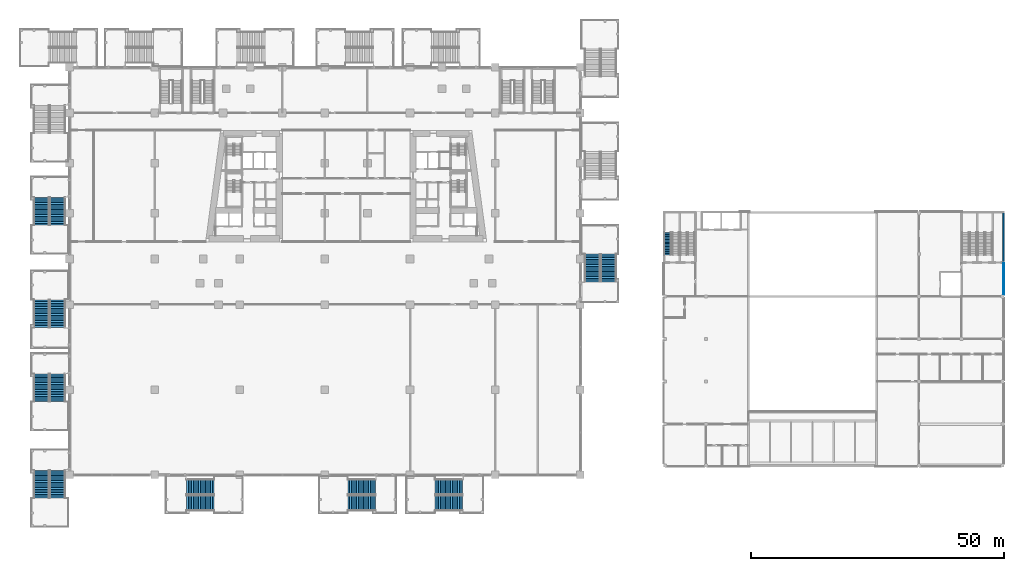
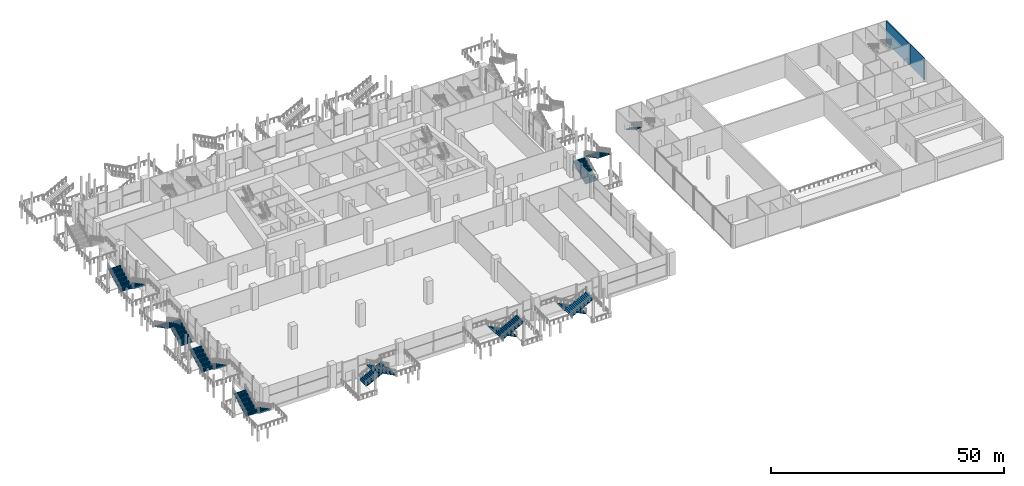
# One storey, part 31 of 49: 17 stair flights, 2 walls, 9 elements without a shape of their own.
"""IFC4 building model written with IfcOpenShell, lengths in metres."""

from ifc_helpers import new_model, si_unit, direction, frame, frame_2d, origin, place, context, subcontext, project, spatial, polyline, rectangle, outline, extrude, material, layer, layer_set, type_object, element, aggregate, save


model = new_model("IFC4")

# Units and contexts
model_context = context("Model", 3, precision=1e-05, world=origin(), true_north=direction((0.0, 1.0)))
body_context = subcontext(model_context, "Body", "Model", "MODEL_VIEW")
ifc_project = project(units=[si_unit("LENGTHUNIT", "METRE"), si_unit("AREAUNIT", "SQUARE_METRE"), si_unit("VOLUMEUNIT", "CUBIC_METRE"), si_unit("PLANEANGLEUNIT", "RADIAN"), si_unit("MASSUNIT", "GRAM", prefix="KILO")], contexts=[model_context])

# Site, building, storey
site_placement = place(None, origin())
site = spatial("IfcSite", under=ifc_project, at=site_placement, CompositionType="ELEMENT")
building_placement = place(site_placement, origin())
building = spatial("IfcBuilding", under=site, at=building_placement, Name="Candeia Pilgrim Tower and Theatre", CompositionType="ELEMENT")
storey_placement = place(building_placement, frame((0.0, 0.0, 17.0)))
storey = spatial("IfcBuildingStorey", under=building, at=storey_placement, Name="L02", CompositionType="ELEMENT", Elevation=17.0)

# Walls
ifc_material_1 = material(Name="Gypsum board on steel studs", Category="steel")
ifc_layer_1 = layer(ifc_material_1, 0.125)
ifc_layer_set_1 = layer_set([ifc_layer_1], Name="Partition 125")
wall_type_1 = type_object("IfcWallType", Name="Partition 125", PredefinedType="PARTITIONING", material=ifc_layer_set_1)
wall_1_placement = place(storey_placement, frame((243.137451171875, 99.89990234375, 0.0), z_axis=(0.0, 0.0, 1.0), x_axis=(0.0, 1.0, 0.0)))
element("IfcWall", 1, at=wall_1_placement, inside=storey, type_object=wall_type_1, Name="T-L02-W071", PredefinedType="PARTITIONING", context=body_context, shape_type="SweptSolid", body=[
    extrude(rectangle(XDim=6.275146484375, YDim=0.125, at=frame_2d((3.1376953125, 0.0))), origin(), (0.0, 0.0, 1.0), 5.699951171875),
])
ifc_material_2 = material(Name="Concrete C35/45", Category="concrete")
ifc_layer_2 = layer(ifc_material_2, 0.25)
ifc_layer_set_2 = layer_set([ifc_layer_2], Name="RC wall 250 C35/45")
wall_type_2 = type_object("IfcWallType", Name="RC wall 250 C35/45", PredefinedType="SOLIDWALL", material=ifc_layer_set_2)
wall_2_placement = place(storey_placement, frame((243.074951171875, 106.425048828125, 0.0), z_axis=(0.0, 0.0, 1.0), x_axis=(0.0, 1.0, 0.0)))
element("IfcWall", 2, at=wall_2_placement, inside=storey, type_object=wall_type_2, Name="T-L02-W066", PredefinedType="SOLIDWALL", context=body_context, shape_type="SweptSolid", body=[
    extrude(rectangle(XDim=9.724853515625, YDim=0.25, at=frame_2d((4.8623046875, 0.0))), origin(), (0.0, 0.0, 1.0), 5.699951171875),
])

# Stair, stair flights
ifc_material_3 = material(Name="Concrete C40/50", Category="concrete")
stair_type_1 = type_object("IfcStairType", Name="ST-EXT external escape stair", PredefinedType="HALF_TURN_STAIR", material=ifc_material_3)
stair_1_placement = place(storey_placement, origin())
stair_1 = element("IfcStair", 3, at=stair_1_placement, inside=storey, type_object=stair_type_1, Name="L02 External escape stair ES1", PredefinedType="HALF_TURN_STAIR")
stair_flight_type_1 = type_object("IfcStairFlightType", Name="SFL-EXT stair flight", PredefinedType="STRAIGHT", material=ifc_material_3)
stair_flight_1_placement = place(storey_placement, frame((162.0, 102.5, 0.0), z_axis=(0.0, 0.0, 1.0), x_axis=(0.0, 1.0, 0.0)))
stair_flight_1 = element("IfcStairFlight", 4, at=stair_flight_1_placement, type_object=stair_flight_type_1, Name="ES1 flight 1", NumberOfRisers=17, NumberOfTreads=16, PredefinedType="STRAIGHT", RiserHeight=0.176470588, TreadLength=0.34, context=body_context, shape_type="SweptSolid", body=[
    extrude(outline(polyline([(0.0, 0.0), (0.0, 0.176513671875), (0.340087890625, 0.176513671875), (0.340087890625, 0.35302734375), (0.679931640625, 0.35302734375), (0.679931640625, 0.529296875), (1.02001953125, 0.529296875), (1.02001953125, 0.705810546875), (1.360107421875, 0.705810546875), (1.360107421875, 0.88232421875), (1.699951171875, 0.88232421875), (1.699951171875, 1.058837890625), (2.0400390625, 1.058837890625), (2.0400390625, 1.2353515625), (2.3798828125, 1.2353515625), (2.3798828125, 1.411865234375), (2.719970703125, 1.411865234375), (2.719970703125, 1.588134765625), (3.06005859375, 1.588134765625), (3.06005859375, 1.7646484375), (3.39990234375, 1.7646484375), (3.39990234375, 1.941162109375), (3.739990234375, 1.941162109375), (3.739990234375, 2.11767578125), (4.080078125, 2.11767578125), (4.080078125, 2.294189453125), (4.419921875, 2.294189453125), (4.419921875, 2.470703125), (4.760009765625, 2.470703125), (4.760009765625, 2.64697265625), (5.10009765625, 2.64697265625), (5.10009765625, 2.823486328125), (5.43994140625, 2.823486328125), (5.43994140625, 3.0), (5.43994140625, 2.654541015625), (0.325439453125, 0.0), (0.0, 0.0)])), frame((0.0, 1.5, 0.0), z_axis=(0.0, -1.0, 0.0), x_axis=(1.0, 0.0, 0.0)), (0.0, 0.0, 1.0), 3.0),
])
stair_flight_2_placement = place(storey_placement, frame((165.14990234375, 107.93994140625, 3.0), z_axis=(0.0, 0.0, 1.0), x_axis=(0.0, -1.0, 0.0)))
stair_flight_2 = element("IfcStairFlight", 5, at=stair_flight_2_placement, type_object=stair_flight_type_1, Name="ES1 flight 2", NumberOfRisers=17, NumberOfTreads=16, PredefinedType="STRAIGHT", RiserHeight=0.176470588, TreadLength=0.34, context=body_context, shape_type="SweptSolid", body=[
    extrude(outline(polyline([(0.0, 0.0), (0.0, 0.176513671875), (0.340087890625, 0.176513671875), (0.340087890625, 0.35302734375), (0.679931640625, 0.35302734375), (0.679931640625, 0.529296875), (1.02001953125, 0.529296875), (1.02001953125, 0.705810546875), (1.360107421875, 0.705810546875), (1.360107421875, 0.88232421875), (1.699951171875, 0.88232421875), (1.699951171875, 1.058837890625), (2.0400390625, 1.058837890625), (2.0400390625, 1.2353515625), (2.3798828125, 1.2353515625), (2.3798828125, 1.411865234375), (2.719970703125, 1.411865234375), (2.719970703125, 1.588134765625), (3.06005859375, 1.588134765625), (3.06005859375, 1.7646484375), (3.39990234375, 1.7646484375), (3.39990234375, 1.941162109375), (3.739990234375, 1.941162109375), (3.739990234375, 2.11767578125), (4.080078125, 2.11767578125), (4.080078125, 2.294189453125), (4.419921875, 2.294189453125), (4.419921875, 2.470703125), (4.760009765625, 2.470703125), (4.760009765625, 2.64697265625), (5.10009765625, 2.64697265625), (5.10009765625, 2.823486328125), (5.43994140625, 2.823486328125), (5.43994140625, 3.0), (5.43994140625, 2.654541015625), (0.325439453125, 0.0), (0.0, 0.0)])), frame((0.0, 1.5, 0.0), z_axis=(0.0, -1.0, 0.0), x_axis=(1.0, 0.0, 0.0)), (0.0, 0.0, 1.0), 3.0),
])
aggregate(stair_1, [stair_flight_1, stair_flight_2])

stair_2_placement = place(storey_placement, origin())
stair_2 = element("IfcStair", 6, at=stair_2_placement, inside=storey, type_object=stair_type_1, Name="L02 External escape stair ES8", PredefinedType="HALF_TURN_STAIR")
stair_flight_3_placement = place(storey_placement, frame((81.89990234375, 62.0, 0.0), z_axis=(0.0, 0.0, 1.0), x_axis=(1.0, 0.0, 0.0)))
stair_flight_3 = element("IfcStairFlight", 7, at=stair_flight_3_placement, type_object=stair_flight_type_1, Name="ES8 flight 1", NumberOfRisers=17, NumberOfTreads=16, PredefinedType="STRAIGHT", RiserHeight=0.176470588, TreadLength=0.34, context=body_context, shape_type="SweptSolid", body=[
    extrude(outline(polyline([(0.0, 0.0), (0.0, 0.176513671875), (0.340087890625, 0.176513671875), (0.340087890625, 0.35302734375), (0.679931640625, 0.35302734375), (0.679931640625, 0.529296875), (1.02001953125, 0.529296875), (1.02001953125, 0.705810546875), (1.360107421875, 0.705810546875), (1.360107421875, 0.88232421875), (1.699951171875, 0.88232421875), (1.699951171875, 1.058837890625), (2.0400390625, 1.058837890625), (2.0400390625, 1.2353515625), (2.3798828125, 1.2353515625), (2.3798828125, 1.411865234375), (2.719970703125, 1.411865234375), (2.719970703125, 1.588134765625), (3.06005859375, 1.588134765625), (3.06005859375, 1.7646484375), (3.39990234375, 1.7646484375), (3.39990234375, 1.941162109375), (3.739990234375, 1.941162109375), (3.739990234375, 2.11767578125), (4.080078125, 2.11767578125), (4.080078125, 2.294189453125), (4.419921875, 2.294189453125), (4.419921875, 2.470703125), (4.760009765625, 2.470703125), (4.760009765625, 2.64697265625), (5.10009765625, 2.64697265625), (5.10009765625, 2.823486328125), (5.43994140625, 2.823486328125), (5.43994140625, 3.0), (5.43994140625, 2.654541015625), (0.325439453125, 0.0), (0.0, 0.0)])), frame((0.0, 1.5, 0.0), z_axis=(0.0, -1.0, 0.0), x_axis=(1.0, 0.0, 0.0)), (0.0, 0.0, 1.0), 3.0),
])
stair_flight_4_placement = place(storey_placement, frame((87.340087890625, 58.85009765625, 3.0), z_axis=(0.0, 0.0, 1.0), x_axis=(-1.0, 0.0, 0.0)))
stair_flight_4 = element("IfcStairFlight", 8, at=stair_flight_4_placement, type_object=stair_flight_type_1, Name="ES8 flight 2", NumberOfRisers=17, NumberOfTreads=16, PredefinedType="STRAIGHT", RiserHeight=0.176470588, TreadLength=0.34, context=body_context, shape_type="SweptSolid", body=[
    extrude(outline(polyline([(0.0, 0.0), (0.0, 0.176513671875), (0.340087890625, 0.176513671875), (0.340087890625, 0.35302734375), (0.679931640625, 0.35302734375), (0.679931640625, 0.529296875), (1.02001953125, 0.529296875), (1.02001953125, 0.705810546875), (1.360107421875, 0.705810546875), (1.360107421875, 0.88232421875), (1.699951171875, 0.88232421875), (1.699951171875, 1.058837890625), (2.0400390625, 1.058837890625), (2.0400390625, 1.2353515625), (2.3798828125, 1.2353515625), (2.3798828125, 1.411865234375), (2.719970703125, 1.411865234375), (2.719970703125, 1.588134765625), (3.06005859375, 1.588134765625), (3.06005859375, 1.7646484375), (3.39990234375, 1.7646484375), (3.39990234375, 1.941162109375), (3.739990234375, 1.941162109375), (3.739990234375, 2.11767578125), (4.080078125, 2.11767578125), (4.080078125, 2.294189453125), (4.419921875, 2.294189453125), (4.419921875, 2.470703125), (4.760009765625, 2.470703125), (4.760009765625, 2.64697265625), (5.10009765625, 2.64697265625), (5.10009765625, 2.823486328125), (5.43994140625, 2.823486328125), (5.43994140625, 3.0), (5.43994140625, 2.654541015625), (0.325439453125, 0.0), (0.0, 0.0)])), frame((0.0, 1.5, 0.0), z_axis=(0.0, -1.0, 0.0), x_axis=(1.0, 0.0, 0.0)), (0.0, 0.0, 1.0), 3.0),
])
aggregate(stair_2, [stair_flight_3, stair_flight_4])

stair_3_placement = place(storey_placement, origin())
stair_3 = element("IfcStair", 9, at=stair_3_placement, inside=storey, type_object=stair_type_1, Name="L02 External escape stair ES9", PredefinedType="HALF_TURN_STAIR")
stair_flight_5_placement = place(storey_placement, frame((119.199951171875, 62.0, 0.0), z_axis=(0.0, 0.0, 1.0), x_axis=(-1.0, 0.0, 0.0)))
stair_flight_5 = element("IfcStairFlight", 10, at=stair_flight_5_placement, type_object=stair_flight_type_1, Name="ES9 flight 1", NumberOfRisers=17, NumberOfTreads=16, PredefinedType="STRAIGHT", RiserHeight=0.176470588, TreadLength=0.34, context=body_context, shape_type="SweptSolid", body=[
    extrude(outline(polyline([(0.0, 0.0), (0.0, 0.176513671875), (0.340087890625, 0.176513671875), (0.340087890625, 0.35302734375), (0.679931640625, 0.35302734375), (0.679931640625, 0.529296875), (1.02001953125, 0.529296875), (1.02001953125, 0.705810546875), (1.360107421875, 0.705810546875), (1.360107421875, 0.88232421875), (1.699951171875, 0.88232421875), (1.699951171875, 1.058837890625), (2.0400390625, 1.058837890625), (2.0400390625, 1.2353515625), (2.3798828125, 1.2353515625), (2.3798828125, 1.411865234375), (2.719970703125, 1.411865234375), (2.719970703125, 1.588134765625), (3.06005859375, 1.588134765625), (3.06005859375, 1.7646484375), (3.39990234375, 1.7646484375), (3.39990234375, 1.941162109375), (3.739990234375, 1.941162109375), (3.739990234375, 2.11767578125), (4.080078125, 2.11767578125), (4.080078125, 2.294189453125), (4.419921875, 2.294189453125), (4.419921875, 2.470703125), (4.760009765625, 2.470703125), (4.760009765625, 2.64697265625), (5.10009765625, 2.64697265625), (5.10009765625, 2.823486328125), (5.43994140625, 2.823486328125), (5.43994140625, 3.0), (5.43994140625, 2.654541015625), (0.325439453125, 0.0), (0.0, 0.0)])), frame((0.0, 1.5, 0.0), z_axis=(0.0, -1.0, 0.0), x_axis=(1.0, 0.0, 0.0)), (0.0, 0.0, 1.0), 3.0),
])
stair_flight_6_placement = place(storey_placement, frame((113.760009765625, 58.85009765625, 3.0), z_axis=(0.0, 0.0, 1.0), x_axis=(1.0, 0.0, 0.0)))
stair_flight_6 = element("IfcStairFlight", 11, at=stair_flight_6_placement, type_object=stair_flight_type_1, Name="ES9 flight 2", NumberOfRisers=17, NumberOfTreads=16, PredefinedType="STRAIGHT", RiserHeight=0.176470588, TreadLength=0.34, context=body_context, shape_type="SweptSolid", body=[
    extrude(outline(polyline([(0.0, 0.0), (0.0, 0.176513671875), (0.340087890625, 0.176513671875), (0.340087890625, 0.35302734375), (0.679931640625, 0.35302734375), (0.679931640625, 0.529296875), (1.02001953125, 0.529296875), (1.02001953125, 0.705810546875), (1.360107421875, 0.705810546875), (1.360107421875, 0.88232421875), (1.699951171875, 0.88232421875), (1.699951171875, 1.058837890625), (2.0400390625, 1.058837890625), (2.0400390625, 1.2353515625), (2.3798828125, 1.2353515625), (2.3798828125, 1.411865234375), (2.719970703125, 1.411865234375), (2.719970703125, 1.588134765625), (3.06005859375, 1.588134765625), (3.06005859375, 1.7646484375), (3.39990234375, 1.7646484375), (3.39990234375, 1.941162109375), (3.739990234375, 1.941162109375), (3.739990234375, 2.11767578125), (4.080078125, 2.11767578125), (4.080078125, 2.294189453125), (4.419921875, 2.294189453125), (4.419921875, 2.470703125), (4.760009765625, 2.470703125), (4.760009765625, 2.64697265625), (5.10009765625, 2.64697265625), (5.10009765625, 2.823486328125), (5.43994140625, 2.823486328125), (5.43994140625, 3.0), (5.43994140625, 2.654541015625), (0.325439453125, 0.0), (0.0, 0.0)])), frame((0.0, 1.5, 0.0), z_axis=(0.0, -1.0, 0.0), x_axis=(1.0, 0.0, 0.0)), (0.0, 0.0, 1.0), 3.0),
])
aggregate(stair_3, [stair_flight_5, stair_flight_6])

stair_4_placement = place(storey_placement, origin())
stair_4 = element("IfcStair", 12, at=stair_4_placement, inside=storey, type_object=stair_type_1, Name="L02 External escape stair ES10", PredefinedType="HALF_TURN_STAIR")
stair_flight_7_placement = place(storey_placement, frame((56.39990234375, 65.300048828125, 0.0), z_axis=(0.0, 0.0, 1.0), x_axis=(0.0, -1.0, 0.0)))
stair_flight_7 = element("IfcStairFlight", 13, at=stair_flight_7_placement, type_object=stair_flight_type_1, Name="ES10 flight 1", NumberOfRisers=17, NumberOfTreads=16, PredefinedType="STRAIGHT", RiserHeight=0.176470588, TreadLength=0.34, context=body_context, shape_type="SweptSolid", body=[
    extrude(outline(polyline([(0.0, 0.0), (0.0, 0.176513671875), (0.340087890625, 0.176513671875), (0.340087890625, 0.35302734375), (0.679931640625, 0.35302734375), (0.679931640625, 0.529296875), (1.02001953125, 0.529296875), (1.02001953125, 0.705810546875), (1.360107421875, 0.705810546875), (1.360107421875, 0.88232421875), (1.699951171875, 0.88232421875), (1.699951171875, 1.058837890625), (2.0400390625, 1.058837890625), (2.0400390625, 1.2353515625), (2.3798828125, 1.2353515625), (2.3798828125, 1.411865234375), (2.719970703125, 1.411865234375), (2.719970703125, 1.588134765625), (3.06005859375, 1.588134765625), (3.06005859375, 1.7646484375), (3.39990234375, 1.7646484375), (3.39990234375, 1.941162109375), (3.739990234375, 1.941162109375), (3.739990234375, 2.11767578125), (4.080078125, 2.11767578125), (4.080078125, 2.294189453125), (4.419921875, 2.294189453125), (4.419921875, 2.470703125), (4.760009765625, 2.470703125), (4.760009765625, 2.64697265625), (5.10009765625, 2.64697265625), (5.10009765625, 2.823486328125), (5.43994140625, 2.823486328125), (5.43994140625, 3.0), (5.43994140625, 2.654541015625), (0.325439453125, 0.0), (0.0, 0.0)])), frame((0.0, 1.5, 0.0), z_axis=(0.0, -1.0, 0.0), x_axis=(1.0, 0.0, 0.0)), (0.0, 0.0, 1.0), 3.0),
])
stair_flight_8_placement = place(storey_placement, frame((53.25, 59.860107421875, 3.0), z_axis=(0.0, 0.0, 1.0), x_axis=(0.0, 1.0, 0.0)))
stair_flight_8 = element("IfcStairFlight", 14, at=stair_flight_8_placement, type_object=stair_flight_type_1, Name="ES10 flight 2", NumberOfRisers=17, NumberOfTreads=16, PredefinedType="STRAIGHT", RiserHeight=0.176470588, TreadLength=0.34, context=body_context, shape_type="SweptSolid", body=[
    extrude(outline(polyline([(0.0, 0.0), (0.0, 0.176513671875), (0.340087890625, 0.176513671875), (0.340087890625, 0.35302734375), (0.679931640625, 0.35302734375), (0.679931640625, 0.529296875), (1.02001953125, 0.529296875), (1.02001953125, 0.705810546875), (1.360107421875, 0.705810546875), (1.360107421875, 0.88232421875), (1.699951171875, 0.88232421875), (1.699951171875, 1.058837890625), (2.0400390625, 1.058837890625), (2.0400390625, 1.2353515625), (2.3798828125, 1.2353515625), (2.3798828125, 1.411865234375), (2.719970703125, 1.411865234375), (2.719970703125, 1.588134765625), (3.06005859375, 1.588134765625), (3.06005859375, 1.7646484375), (3.39990234375, 1.7646484375), (3.39990234375, 1.941162109375), (3.739990234375, 1.941162109375), (3.739990234375, 2.11767578125), (4.080078125, 2.11767578125), (4.080078125, 2.294189453125), (4.419921875, 2.294189453125), (4.419921875, 2.470703125), (4.760009765625, 2.470703125), (4.760009765625, 2.64697265625), (5.10009765625, 2.64697265625), (5.10009765625, 2.823486328125), (5.43994140625, 2.823486328125), (5.43994140625, 3.0), (5.43994140625, 2.654541015625), (0.325439453125, 0.0), (0.0, 0.0)])), frame((0.0, 1.5, 0.0), z_axis=(0.0, -1.0, 0.0), x_axis=(1.0, 0.0, 0.0)), (0.0, 0.0, 1.0), 3.0),
])
aggregate(stair_4, [stair_flight_7, stair_flight_8])

stair_5_placement = place(storey_placement, origin())
stair_5 = element("IfcStair", 15, at=stair_5_placement, inside=storey, type_object=stair_type_1, Name="L02 External escape stair ES11", PredefinedType="HALF_TURN_STAIR")
stair_flight_9_placement = place(storey_placement, frame((56.39990234375, 84.300048828125, 0.0), z_axis=(0.0, 0.0, 1.0), x_axis=(0.0, -1.0, 0.0)))
stair_flight_9 = element("IfcStairFlight", 16, at=stair_flight_9_placement, type_object=stair_flight_type_1, Name="ES11 flight 1", NumberOfRisers=17, NumberOfTreads=16, PredefinedType="STRAIGHT", RiserHeight=0.176470588, TreadLength=0.34, context=body_context, shape_type="SweptSolid", body=[
    extrude(outline(polyline([(0.0, 0.0), (0.0, 0.176513671875), (0.340087890625, 0.176513671875), (0.340087890625, 0.35302734375), (0.679931640625, 0.35302734375), (0.679931640625, 0.529296875), (1.02001953125, 0.529296875), (1.02001953125, 0.705810546875), (1.360107421875, 0.705810546875), (1.360107421875, 0.88232421875), (1.699951171875, 0.88232421875), (1.699951171875, 1.058837890625), (2.0400390625, 1.058837890625), (2.0400390625, 1.2353515625), (2.3798828125, 1.2353515625), (2.3798828125, 1.411865234375), (2.719970703125, 1.411865234375), (2.719970703125, 1.588134765625), (3.06005859375, 1.588134765625), (3.06005859375, 1.7646484375), (3.39990234375, 1.7646484375), (3.39990234375, 1.941162109375), (3.739990234375, 1.941162109375), (3.739990234375, 2.11767578125), (4.080078125, 2.11767578125), (4.080078125, 2.294189453125), (4.419921875, 2.294189453125), (4.419921875, 2.470703125), (4.760009765625, 2.470703125), (4.760009765625, 2.64697265625), (5.10009765625, 2.64697265625), (5.10009765625, 2.823486328125), (5.43994140625, 2.823486328125), (5.43994140625, 3.0), (5.43994140625, 2.654541015625), (0.325439453125, 0.0), (0.0, 0.0)])), frame((0.0, 1.5, 0.0), z_axis=(0.0, -1.0, 0.0), x_axis=(1.0, 0.0, 0.0)), (0.0, 0.0, 1.0), 3.0),
])
stair_flight_10_placement = place(storey_placement, frame((53.25, 78.860107421875, 3.0), z_axis=(0.0, 0.0, 1.0), x_axis=(0.0, 1.0, 0.0)))
stair_flight_10 = element("IfcStairFlight", 17, at=stair_flight_10_placement, type_object=stair_flight_type_1, Name="ES11 flight 2", NumberOfRisers=17, NumberOfTreads=16, PredefinedType="STRAIGHT", RiserHeight=0.176470588, TreadLength=0.34, context=body_context, shape_type="SweptSolid", body=[
    extrude(outline(polyline([(0.0, 0.0), (0.0, 0.176513671875), (0.340087890625, 0.176513671875), (0.340087890625, 0.35302734375), (0.679931640625, 0.35302734375), (0.679931640625, 0.529296875), (1.02001953125, 0.529296875), (1.02001953125, 0.705810546875), (1.360107421875, 0.705810546875), (1.360107421875, 0.88232421875), (1.699951171875, 0.88232421875), (1.699951171875, 1.058837890625), (2.0400390625, 1.058837890625), (2.0400390625, 1.2353515625), (2.3798828125, 1.2353515625), (2.3798828125, 1.411865234375), (2.719970703125, 1.411865234375), (2.719970703125, 1.588134765625), (3.06005859375, 1.588134765625), (3.06005859375, 1.7646484375), (3.39990234375, 1.7646484375), (3.39990234375, 1.941162109375), (3.739990234375, 1.941162109375), (3.739990234375, 2.11767578125), (4.080078125, 2.11767578125), (4.080078125, 2.294189453125), (4.419921875, 2.294189453125), (4.419921875, 2.470703125), (4.760009765625, 2.470703125), (4.760009765625, 2.64697265625), (5.10009765625, 2.64697265625), (5.10009765625, 2.823486328125), (5.43994140625, 2.823486328125), (5.43994140625, 3.0), (5.43994140625, 2.654541015625), (0.325439453125, 0.0), (0.0, 0.0)])), frame((0.0, 1.5, 0.0), z_axis=(0.0, -1.0, 0.0), x_axis=(1.0, 0.0, 0.0)), (0.0, 0.0, 1.0), 3.0),
])
aggregate(stair_5, [stair_flight_9, stair_flight_10])

stair_6_placement = place(storey_placement, origin())
stair_6 = element("IfcStair", 18, at=stair_6_placement, inside=storey, type_object=stair_type_1, Name="L02 External escape stair ES12", PredefinedType="HALF_TURN_STAIR")
stair_flight_11_placement = place(storey_placement, frame((56.39990234375, 93.5, 0.0), z_axis=(0.0, 0.0, 1.0), x_axis=(0.0, 1.0, 0.0)))
stair_flight_11 = element("IfcStairFlight", 19, at=stair_flight_11_placement, type_object=stair_flight_type_1, Name="ES12 flight 1", NumberOfRisers=17, NumberOfTreads=16, PredefinedType="STRAIGHT", RiserHeight=0.176470588, TreadLength=0.34, context=body_context, shape_type="SweptSolid", body=[
    extrude(outline(polyline([(0.0, 0.0), (0.0, 0.176513671875), (0.340087890625, 0.176513671875), (0.340087890625, 0.35302734375), (0.679931640625, 0.35302734375), (0.679931640625, 0.529296875), (1.02001953125, 0.529296875), (1.02001953125, 0.705810546875), (1.360107421875, 0.705810546875), (1.360107421875, 0.88232421875), (1.699951171875, 0.88232421875), (1.699951171875, 1.058837890625), (2.0400390625, 1.058837890625), (2.0400390625, 1.2353515625), (2.3798828125, 1.2353515625), (2.3798828125, 1.411865234375), (2.719970703125, 1.411865234375), (2.719970703125, 1.588134765625), (3.06005859375, 1.588134765625), (3.06005859375, 1.7646484375), (3.39990234375, 1.7646484375), (3.39990234375, 1.941162109375), (3.739990234375, 1.941162109375), (3.739990234375, 2.11767578125), (4.080078125, 2.11767578125), (4.080078125, 2.294189453125), (4.419921875, 2.294189453125), (4.419921875, 2.470703125), (4.760009765625, 2.470703125), (4.760009765625, 2.64697265625), (5.10009765625, 2.64697265625), (5.10009765625, 2.823486328125), (5.43994140625, 2.823486328125), (5.43994140625, 3.0), (5.43994140625, 2.654541015625), (0.325439453125, 0.0), (0.0, 0.0)])), frame((0.0, 1.5, 0.0), z_axis=(0.0, -1.0, 0.0), x_axis=(1.0, 0.0, 0.0)), (0.0, 0.0, 1.0), 3.0),
])
stair_flight_12_placement = place(storey_placement, frame((53.25, 98.93994140625, 3.0), z_axis=(0.0, 0.0, 1.0), x_axis=(0.0, -1.0, 0.0)))
stair_flight_12 = element("IfcStairFlight", 20, at=stair_flight_12_placement, type_object=stair_flight_type_1, Name="ES12 flight 2", NumberOfRisers=17, NumberOfTreads=16, PredefinedType="STRAIGHT", RiserHeight=0.176470588, TreadLength=0.34, context=body_context, shape_type="SweptSolid", body=[
    extrude(outline(polyline([(0.0, 0.0), (0.0, 0.176513671875), (0.340087890625, 0.176513671875), (0.340087890625, 0.35302734375), (0.679931640625, 0.35302734375), (0.679931640625, 0.529296875), (1.02001953125, 0.529296875), (1.02001953125, 0.705810546875), (1.360107421875, 0.705810546875), (1.360107421875, 0.88232421875), (1.699951171875, 0.88232421875), (1.699951171875, 1.058837890625), (2.0400390625, 1.058837890625), (2.0400390625, 1.2353515625), (2.3798828125, 1.2353515625), (2.3798828125, 1.411865234375), (2.719970703125, 1.411865234375), (2.719970703125, 1.588134765625), (3.06005859375, 1.588134765625), (3.06005859375, 1.7646484375), (3.39990234375, 1.7646484375), (3.39990234375, 1.941162109375), (3.739990234375, 1.941162109375), (3.739990234375, 2.11767578125), (4.080078125, 2.11767578125), (4.080078125, 2.294189453125), (4.419921875, 2.294189453125), (4.419921875, 2.470703125), (4.760009765625, 2.470703125), (4.760009765625, 2.64697265625), (5.10009765625, 2.64697265625), (5.10009765625, 2.823486328125), (5.43994140625, 2.823486328125), (5.43994140625, 3.0), (5.43994140625, 2.654541015625), (0.325439453125, 0.0), (0.0, 0.0)])), frame((0.0, 1.5, 0.0), z_axis=(0.0, -1.0, 0.0), x_axis=(1.0, 0.0, 0.0)), (0.0, 0.0, 1.0), 3.0),
])
aggregate(stair_6, [stair_flight_11, stair_flight_12])

stair_7_placement = place(storey_placement, origin())
stair_7 = element("IfcStair", 21, at=stair_7_placement, inside=storey, type_object=stair_type_1, Name="L02 External escape stair ES15", PredefinedType="HALF_TURN_STAIR")
stair_flight_13_placement = place(storey_placement, frame((56.39990234375, 119.14990234375, 0.0), z_axis=(0.0, 0.0, 1.0), x_axis=(0.0, -1.0, 0.0)))
stair_flight_13 = element("IfcStairFlight", 22, at=stair_flight_13_placement, type_object=stair_flight_type_1, Name="ES15 flight 1", NumberOfRisers=17, NumberOfTreads=16, PredefinedType="STRAIGHT", RiserHeight=0.176470588, TreadLength=0.34, context=body_context, shape_type="SweptSolid", body=[
    extrude(outline(polyline([(0.0, 0.0), (0.0, 0.176513671875), (0.340087890625, 0.176513671875), (0.340087890625, 0.35302734375), (0.679931640625, 0.35302734375), (0.679931640625, 0.529296875), (1.02001953125, 0.529296875), (1.02001953125, 0.705810546875), (1.360107421875, 0.705810546875), (1.360107421875, 0.88232421875), (1.699951171875, 0.88232421875), (1.699951171875, 1.058837890625), (2.0400390625, 1.058837890625), (2.0400390625, 1.2353515625), (2.3798828125, 1.2353515625), (2.3798828125, 1.411865234375), (2.719970703125, 1.411865234375), (2.719970703125, 1.588134765625), (3.06005859375, 1.588134765625), (3.06005859375, 1.7646484375), (3.39990234375, 1.7646484375), (3.39990234375, 1.941162109375), (3.739990234375, 1.941162109375), (3.739990234375, 2.11767578125), (4.080078125, 2.11767578125), (4.080078125, 2.294189453125), (4.419921875, 2.294189453125), (4.419921875, 2.470703125), (4.760009765625, 2.470703125), (4.760009765625, 2.64697265625), (5.10009765625, 2.64697265625), (5.10009765625, 2.823486328125), (5.43994140625, 2.823486328125), (5.43994140625, 3.0), (5.43994140625, 2.654541015625), (0.325439453125, 0.0), (0.0, 0.0)])), frame((0.0, 1.5, 0.0), z_axis=(0.0, -1.0, 0.0), x_axis=(1.0, 0.0, 0.0)), (0.0, 0.0, 1.0), 3.0),
])
stair_flight_14_placement = place(storey_placement, frame((53.25, 113.7099609375, 3.0), z_axis=(0.0, 0.0, 1.0), x_axis=(0.0, 1.0, 0.0)))
stair_flight_14 = element("IfcStairFlight", 23, at=stair_flight_14_placement, type_object=stair_flight_type_1, Name="ES15 flight 2", NumberOfRisers=17, NumberOfTreads=16, PredefinedType="STRAIGHT", RiserHeight=0.176470588, TreadLength=0.34, context=body_context, shape_type="SweptSolid", body=[
    extrude(outline(polyline([(0.0, 0.0), (0.0, 0.176513671875), (0.340087890625, 0.176513671875), (0.340087890625, 0.35302734375), (0.679931640625, 0.35302734375), (0.679931640625, 0.529296875), (1.02001953125, 0.529296875), (1.02001953125, 0.705810546875), (1.360107421875, 0.705810546875), (1.360107421875, 0.88232421875), (1.699951171875, 0.88232421875), (1.699951171875, 1.058837890625), (2.0400390625, 1.058837890625), (2.0400390625, 1.2353515625), (2.3798828125, 1.2353515625), (2.3798828125, 1.411865234375), (2.719970703125, 1.411865234375), (2.719970703125, 1.588134765625), (3.06005859375, 1.588134765625), (3.06005859375, 1.7646484375), (3.39990234375, 1.7646484375), (3.39990234375, 1.941162109375), (3.739990234375, 1.941162109375), (3.739990234375, 2.11767578125), (4.080078125, 2.11767578125), (4.080078125, 2.294189453125), (4.419921875, 2.294189453125), (4.419921875, 2.470703125), (4.760009765625, 2.470703125), (4.760009765625, 2.64697265625), (5.10009765625, 2.64697265625), (5.10009765625, 2.823486328125), (5.43994140625, 2.823486328125), (5.43994140625, 3.0), (5.43994140625, 2.654541015625), (0.325439453125, 0.0), (0.0, 0.0)])), frame((0.0, 1.5, 0.0), z_axis=(0.0, -1.0, 0.0), x_axis=(1.0, 0.0, 0.0)), (0.0, 0.0, 1.0), 3.0),
])
aggregate(stair_7, [stair_flight_13, stair_flight_14])

stair_8_placement = place(storey_placement, origin())
stair_8 = element("IfcStair", 24, at=stair_8_placement, inside=storey, type_object=stair_type_1, Name="L02 External escape stair ES16", PredefinedType="HALF_TURN_STAIR")
stair_flight_15_placement = place(storey_placement, frame((136.39990234375, 62.0, 0.0), z_axis=(0.0, 0.0, 1.0), x_axis=(-1.0, 0.0, 0.0)))
stair_flight_15 = element("IfcStairFlight", 25, at=stair_flight_15_placement, type_object=stair_flight_type_1, Name="ES16 flight 1", NumberOfRisers=17, NumberOfTreads=16, PredefinedType="STRAIGHT", RiserHeight=0.176470588, TreadLength=0.34, context=body_context, shape_type="SweptSolid", body=[
    extrude(outline(polyline([(0.0, 0.0), (0.0, 0.176513671875), (0.340087890625, 0.176513671875), (0.340087890625, 0.35302734375), (0.679931640625, 0.35302734375), (0.679931640625, 0.529296875), (1.02001953125, 0.529296875), (1.02001953125, 0.705810546875), (1.360107421875, 0.705810546875), (1.360107421875, 0.88232421875), (1.699951171875, 0.88232421875), (1.699951171875, 1.058837890625), (2.0400390625, 1.058837890625), (2.0400390625, 1.2353515625), (2.3798828125, 1.2353515625), (2.3798828125, 1.411865234375), (2.719970703125, 1.411865234375), (2.719970703125, 1.588134765625), (3.06005859375, 1.588134765625), (3.06005859375, 1.7646484375), (3.39990234375, 1.7646484375), (3.39990234375, 1.941162109375), (3.739990234375, 1.941162109375), (3.739990234375, 2.11767578125), (4.080078125, 2.11767578125), (4.080078125, 2.294189453125), (4.419921875, 2.294189453125), (4.419921875, 2.470703125), (4.760009765625, 2.470703125), (4.760009765625, 2.64697265625), (5.10009765625, 2.64697265625), (5.10009765625, 2.823486328125), (5.43994140625, 2.823486328125), (5.43994140625, 3.0), (5.43994140625, 2.654541015625), (0.325439453125, 0.0), (0.0, 0.0)])), frame((0.0, 1.5, 0.0), z_axis=(0.0, -1.0, 0.0), x_axis=(1.0, 0.0, 0.0)), (0.0, 0.0, 1.0), 3.0),
])
stair_flight_16_placement = place(storey_placement, frame((130.9599609375, 58.85009765625, 3.0), z_axis=(0.0, 0.0, 1.0), x_axis=(1.0, 0.0, 0.0)))
stair_flight_16 = element("IfcStairFlight", 26, at=stair_flight_16_placement, type_object=stair_flight_type_1, Name="ES16 flight 2", NumberOfRisers=17, NumberOfTreads=16, PredefinedType="STRAIGHT", RiserHeight=0.176470588, TreadLength=0.34, context=body_context, shape_type="SweptSolid", body=[
    extrude(outline(polyline([(0.0, 0.0), (0.0, 0.176513671875), (0.340087890625, 0.176513671875), (0.340087890625, 0.35302734375), (0.679931640625, 0.35302734375), (0.679931640625, 0.529296875), (1.02001953125, 0.529296875), (1.02001953125, 0.705810546875), (1.360107421875, 0.705810546875), (1.360107421875, 0.88232421875), (1.699951171875, 0.88232421875), (1.699951171875, 1.058837890625), (2.0400390625, 1.058837890625), (2.0400390625, 1.2353515625), (2.3798828125, 1.2353515625), (2.3798828125, 1.411865234375), (2.719970703125, 1.411865234375), (2.719970703125, 1.588134765625), (3.06005859375, 1.588134765625), (3.06005859375, 1.7646484375), (3.39990234375, 1.7646484375), (3.39990234375, 1.941162109375), (3.739990234375, 1.941162109375), (3.739990234375, 2.11767578125), (4.080078125, 2.11767578125), (4.080078125, 2.294189453125), (4.419921875, 2.294189453125), (4.419921875, 2.470703125), (4.760009765625, 2.470703125), (4.760009765625, 2.64697265625), (5.10009765625, 2.64697265625), (5.10009765625, 2.823486328125), (5.43994140625, 2.823486328125), (5.43994140625, 3.0), (5.43994140625, 2.654541015625), (0.325439453125, 0.0), (0.0, 0.0)])), frame((0.0, 1.5, 0.0), z_axis=(0.0, -1.0, 0.0), x_axis=(1.0, 0.0, 0.0)), (0.0, 0.0, 1.0), 3.0),
])
aggregate(stair_8, [stair_flight_15, stair_flight_16])

# Stair, stair flight
stair_type_2 = type_object("IfcStairType", Name="Theatre stair", PredefinedType="HALF_TURN_STAIR", material=ifc_material_2)
stair_9_placement = place(storey_placement, origin())
stair_9 = element("IfcStair", 27, at=stair_9_placement, inside=storey, type_object=stair_type_2, Name="L02 Theatre stair S1", PredefinedType="HALF_TURN_STAIR")
stair_flight_type_2 = type_object("IfcStairFlightType", Name="Theatre stair flight", PredefinedType="STRAIGHT", material=ifc_material_2)
stair_flight_17_placement = place(storey_placement, frame((176.800048828125, 112.2548828125, 3.0), z_axis=(0.0, 0.0, 1.0), x_axis=(0.0, -1.0, 0.0)))
stair_flight_17 = element("IfcStairFlight", 28, at=stair_flight_17_placement, type_object=stair_flight_type_2, Name="TS1 flight 2", NumberOfRisers=17, NumberOfTreads=16, PredefinedType="STRAIGHT", RiserHeight=0.176470588, TreadLength=0.28, context=body_context, shape_type="SweptSolid", body=[
    extrude(outline(polyline([(0.0, 0.0), (0.0, 0.176513671875), (0.280029296875, 0.176513671875), (0.280029296875, 0.35302734375), (0.56005859375, 0.35302734375), (0.56005859375, 0.529296875), (0.840087890625, 0.529296875), (0.840087890625, 0.705810546875), (1.1201171875, 0.705810546875), (1.1201171875, 0.88232421875), (1.39990234375, 0.88232421875), (1.39990234375, 1.058837890625), (1.679931640625, 1.058837890625), (1.679931640625, 1.2353515625), (1.9599609375, 1.2353515625), (1.9599609375, 1.411865234375), (2.239990234375, 1.411865234375), (2.239990234375, 1.588134765625), (2.52001953125, 1.588134765625), (2.52001953125, 1.7646484375), (2.800048828125, 1.7646484375), (2.800048828125, 1.941162109375), (3.080078125, 1.941162109375), (3.080078125, 2.11767578125), (3.360107421875, 2.11767578125), (3.360107421875, 2.294189453125), (3.639892578125, 2.294189453125), (3.639892578125, 2.470703125), (3.919921875, 2.470703125), (3.919921875, 2.64697265625), (4.199951171875, 2.64697265625), (4.199951171875, 2.823486328125), (4.47998046875, 2.823486328125), (4.47998046875, 3.0), (4.47998046875, 2.646240234375), (0.28125, 0.0), (0.0, 0.0)])), frame((0.0, 0.675048828125, 0.0), z_axis=(0.0, -1.0, 0.0), x_axis=(1.0, 0.0, 0.0)), (0.0, 0.0, 1.0), 1.35009765625),
])
aggregate(stair_9, [stair_flight_17])

save(model, "model.ifc")
